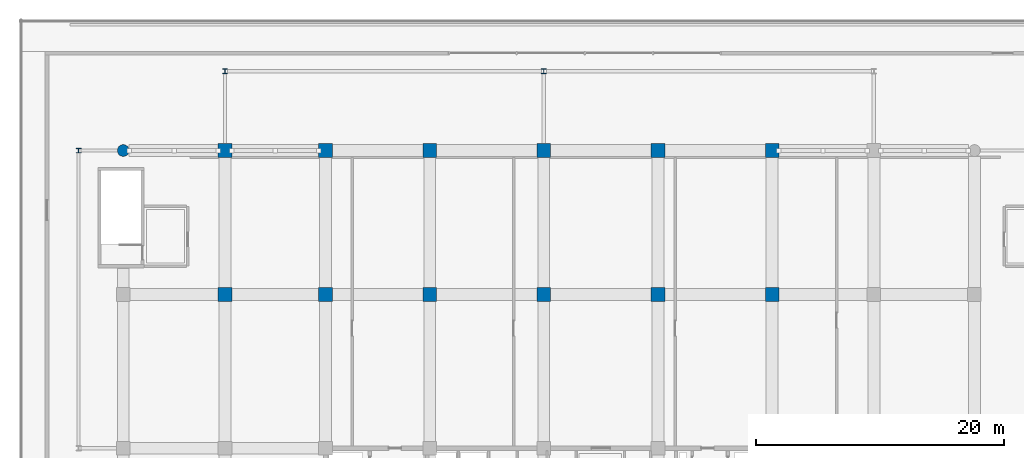
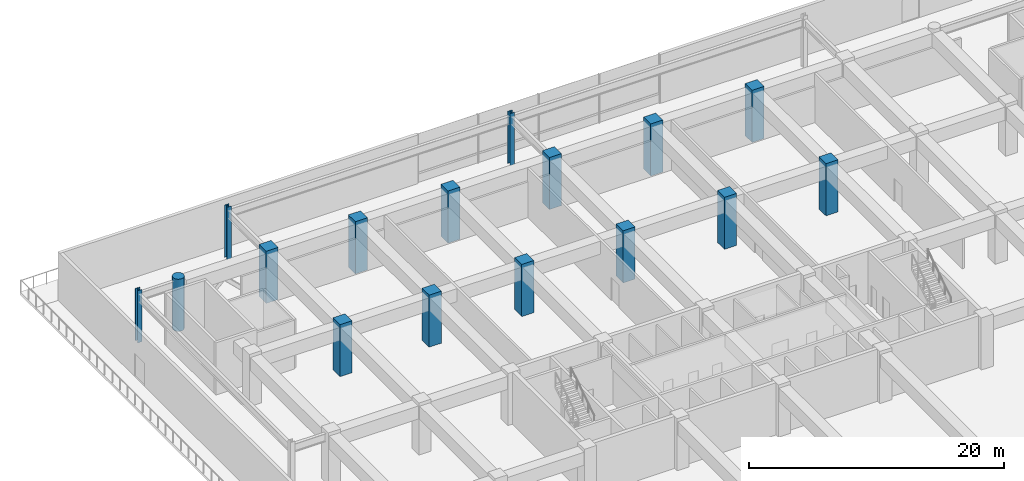
# One storey, part 5 of 38: 16 columns.
"""IFC4 building model written with IfcOpenShell, lengths in metres."""

from ifc_helpers import new_model, si_unit, direction, frame, origin, origin_2d, place, context, subcontext, project, spatial, rectangle, circle, i_section, extrude, material, material_profile, profile_set, type_object, element, save


model = new_model("IFC4")

# Units and contexts
model_context = context("Model", 3, precision=1e-05, world=origin(), true_north=direction((0.0, 1.0)))
body_context = subcontext(model_context, "Body", "Model", "MODEL_VIEW")
ifc_project = project(units=[si_unit("LENGTHUNIT", "METRE"), si_unit("AREAUNIT", "SQUARE_METRE"), si_unit("VOLUMEUNIT", "CUBIC_METRE"), si_unit("PLANEANGLEUNIT", "RADIAN"), si_unit("MASSUNIT", "GRAM", prefix="KILO")], contexts=[model_context])

# Site, building, storey
site_placement = place(None, origin())
site = spatial("IfcSite", under=ifc_project, at=site_placement, CompositionType="ELEMENT")
building_placement = place(site_placement, origin())
building = spatial("IfcBuilding", under=site, at=building_placement, Name="Korimba Cascade Residences", CompositionType="ELEMENT")
storey_placement = place(building_placement, frame((0.0, 0.0, 19.0)))
storey = spatial("IfcBuildingStorey", under=building, at=storey_placement, Name="L04", CompositionType="ELEMENT", Elevation=19.0)

# Columns
ifc_material_1 = material(Name="Concrete C80/95", Category="concrete")
ifc_material_profile_1 = material_profile(ifc_material_1, rectangle(XDim=1.10009765625, YDim=1.10009765625, at=origin_2d()), Name="Concrete C80/95")
ifc_profile_set_1 = profile_set([ifc_material_profile_1], Name="Concrete C80/95")
column_type_1 = type_object("IfcColumnType", Name="COL-RC-1100", PredefinedType="COLUMN", material=ifc_profile_set_1)
for number, where, z_axis, x_axis, name in (
    (1, (68.0, 79.60009765625, 0.0), (0.0, 0.0, 1.0), (1.0, 0.0, 0.0), "L04 Tower 1 Column 2.3"),
    (2, (68.0, 91.199951171875, 0.0), (0.0, 0.0, 1.0), (1.0, 0.0, 0.0), "L04 Tower 1 Column 2.4"),
    (3, (76.10009765625, 79.60009765625, 0.0), (0.0, 0.0, 1.0), (1.0, 0.0, 0.0), "L04 Tower 1 Column 3.3"),
    (4, (76.10009765625, 91.199951171875, 0.0), (0.0, 0.0, 1.0), (1.0, 0.0, 0.0), "L04 Tower 1 Column 3.4"),
    (5, (84.5, 79.60009765625, 0.0), (0.0, 0.0, 1.0), (1.0, 0.0, 0.0), "L04 Tower 1 Column 4.3"),
    (6, (84.5, 91.199951171875, 0.0), (0.0, 0.0, 1.0), (1.0, 0.0, 0.0), "L04 Tower 1 Column 4.4"),
    (7, (93.699951171875, 79.60009765625, 0.0), (0.0, 0.0, 1.0), (1.0, 0.0, 0.0), "L04 Tower 1 Column 5.3"),
    (8, (93.699951171875, 91.199951171875, 0.0), (0.0, 0.0, 1.0), (1.0, 0.0, 0.0), "L04 Tower 1 Column 5.4"),
    (9, (102.89990234375, 79.60009765625, 0.0), (0.0, 0.0, 1.0), (1.0, 0.0, 0.0), "L04 Tower 1 Column 6.3"),
    (10, (102.89990234375, 91.199951171875, 0.0), (0.0, 0.0, 1.0), (1.0, 0.0, 0.0), "L04 Tower 1 Column 6.4"),
    (11, (112.10009765625, 79.60009765625, 0.0), (0.0, 0.0, 1.0), (1.0, 0.0, 0.0), "L04 Tower 1 Column 7.3"),
    (12, (112.10009765625, 91.199951171875, 0.0), (0.0, 0.0, 1.0), (1.0, 0.0, 0.0), "L04 Tower 1 Column 7.4"),
):
    element("IfcColumn", number, at=place(storey_placement, frame(where, z_axis=z_axis, x_axis=x_axis)), inside=storey, type_object=column_type_1, Name=name, PredefinedType="COLUMN", context=body_context, shape_type="SweptSolid", body=[
        extrude(rectangle(XDim=1.10009765625, YDim=1.10009765625, at=origin_2d()), origin(), (0.0, 0.0, 1.0), 5.0),
    ])
ifc_material_profile_2 = material_profile(ifc_material_1, circle(Radius=0.47509765625, at=origin_2d()), Name="Concrete C80/95")
ifc_profile_set_2 = profile_set([ifc_material_profile_2], Name="Concrete C80/95")
column_type_2 = type_object("IfcColumnType", Name="COL-RC-D950", PredefinedType="COLUMN", material=ifc_profile_set_2)
column_placement = place(storey_placement, frame((59.800048828125, 91.199951171875, 0.0), z_axis=(0.0, 0.0, 1.0), x_axis=(1.0, 0.0, 0.0)))
element("IfcColumn", 13, at=column_placement, inside=storey, type_object=column_type_2, Name="L04 Tower 1 Column 1.4", PredefinedType="COLUMN", context=body_context, shape_type="SweptSolid", body=[
    extrude(circle(Radius=0.47509765625, at=origin_2d()), origin(), (0.0, 0.0, 1.0), 5.0),
])
ifc_material_2 = material(Name="Steel S355", Category="steel")
ifc_material_profile_3 = material_profile(ifc_material_2, i_section(OverallWidth=0.39892578125, OverallDepth=0.3935546875, WebThickness=0.022705078125, FlangeThickness=0.03662109375, FilletRadius=0.01513671875, at=origin_2d()), Name="Steel S355")
ifc_profile_set_3 = profile_set([ifc_material_profile_3], Name="Steel S355")
column_type_3 = type_object("IfcColumnType", Name="COL-STL-UC287", PredefinedType="COLUMN", material=ifc_profile_set_3)
for number, where, z_axis, x_axis, name in (
    (14, (56.199951171875, 91.199951171875, 0.0), (0.0, 0.0, 1.0), (1.0, 0.0, 0.0), "L04 Podium Column PCW4"),
    (15, (68.0, 97.60009765625, 0.0), (0.0, 0.0, 1.0), (1.0, 0.0, 0.0), "L04 Podium Column PCN1"),
    (16, (93.699951171875, 97.60009765625, 0.0), (0.0, 0.0, 1.0), (1.0, 0.0, 0.0), "L04 Podium Column PCN2"),
):
    element("IfcColumn", number, at=place(storey_placement, frame(where, z_axis=z_axis, x_axis=x_axis)), inside=storey, type_object=column_type_3, Name=name, PredefinedType="COLUMN", context=body_context, shape_type="SweptSolid", body=[
        extrude(i_section(OverallWidth=0.39892578125, OverallDepth=0.3935546875, WebThickness=0.022705078125, FlangeThickness=0.03662109375, FilletRadius=0.01513671875, at=origin_2d()), origin(), (0.0, 0.0, 1.0), 5.0),
    ])

save(model, "model.ifc")
